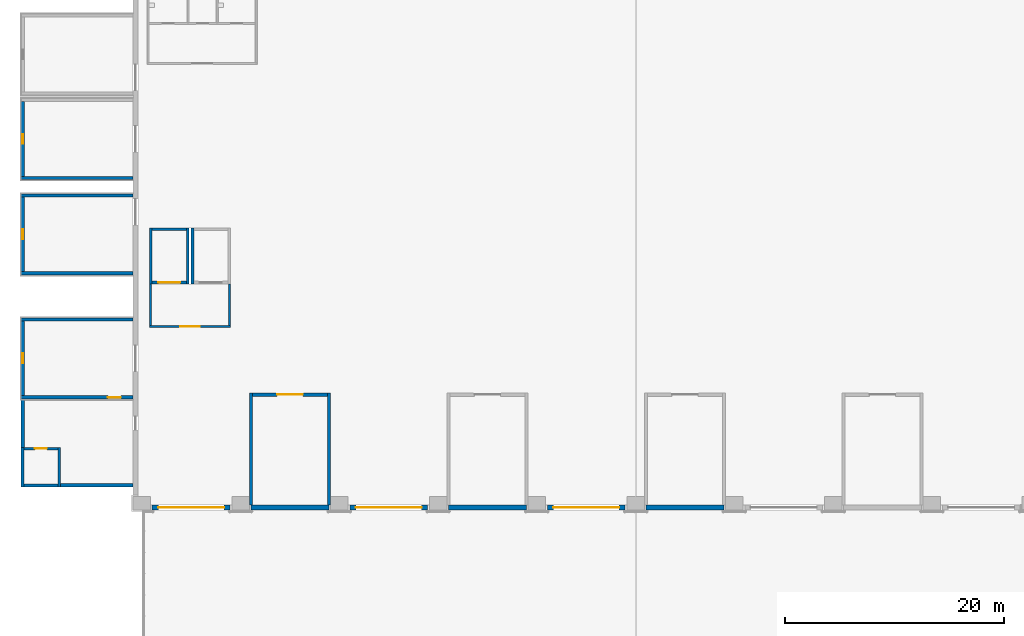
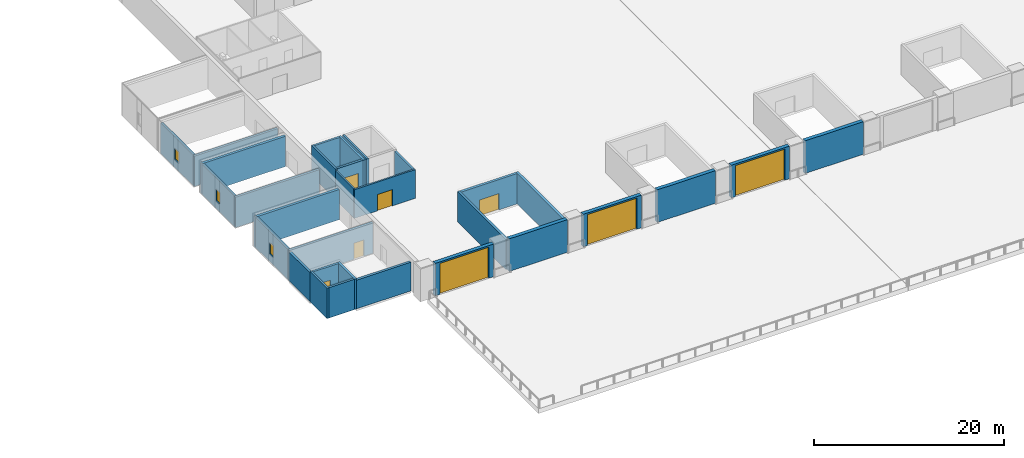
# One storey, part 14 of 39: 31 walls, 8 doors, 3 windows, 11 openings.
"""IFC4 building model written with IfcOpenShell, lengths in metres."""

from ifc_helpers import new_model, si_unit, direction, frame, frame_2d, origin, place, context, subcontext, project, spatial, rectangle, extrude, material, layer, layer_set, type_object, element, fill, save


model = new_model("IFC4")

# Units and contexts
model_context = context("Model", 3, precision=1e-05, world=origin(), true_north=direction((0.0, 1.0)))
body_context = subcontext(model_context, "Body", "Model", "MODEL_VIEW")
ifc_project = project(units=[si_unit("LENGTHUNIT", "METRE"), si_unit("AREAUNIT", "SQUARE_METRE"), si_unit("VOLUMEUNIT", "CUBIC_METRE"), si_unit("PLANEANGLEUNIT", "RADIAN"), si_unit("MASSUNIT", "GRAM", prefix="KILO")], contexts=[model_context])

# Site, building, storey
site_placement = place(None, origin())
site = spatial("IfcSite", under=ifc_project, at=site_placement, CompositionType="ELEMENT")
building_placement = place(site_placement, origin())
building = spatial("IfcBuilding", under=site, at=building_placement, Name="Aravalli Gate Trade Fair Centre", CompositionType="ELEMENT")
storey_placement = place(building_placement, frame((0.0, 0.0, 15.0)))
storey = spatial("IfcBuildingStorey", under=building, at=storey_placement, Name="L03", CompositionType="ELEMENT", Elevation=15.0)

# Walls
ifc_material_1 = material(Name="Concrete M40", Category="concrete")
ifc_layer_1 = layer(ifc_material_1, 0.300048828125)
ifc_layer_set_1 = layer_set([ifc_layer_1], Name="Concrete M40")
wall_type_1 = type_object("IfcWallType", Name="Firefighting block wall RC 300", PredefinedType="SHEAR", material=ifc_layer_set_1)
wall_1_placement = place(storey_placement, frame((-4.85009765625, 51.10009765625, 0.0), z_axis=(0.0, 0.0, 1.0), x_axis=(0.0, 1.0, 0.0)))
element("IfcWall", 1, at=wall_1_placement, inside=storey, type_object=wall_type_1, Name="Firefighting lobby west wall L03", PredefinedType="SHEAR", context=body_context, shape_type="SweptSolid", body=[
    extrude(rectangle(XDim=4.39990234375, YDim=0.300048828125, at=frame_2d((2.199951171875, 0.0))), origin(), (0.0, 0.0, 1.0), 3.699951171875),
])
wall_2_placement = place(storey_placement, frame((-1.39990234375, 47.64990234375, 0.0), z_axis=(0.0, 0.0, 1.0), x_axis=(1.0, 0.0, 0.0)))
element("IfcWall", 2, at=wall_2_placement, inside=storey, type_object=wall_type_1, Name="Firefighting lobby south wall L03", PredefinedType="SHEAR", context=body_context, shape_type="SweptSolid", body=[
    extrude(rectangle(XDim=6.599853515625, YDim=0.300048828125, at=frame_2d((3.2998046875, 0.0))), origin(), (0.0, 0.0, 1.0), 3.699951171875),
])
ifc_layer_2 = layer(ifc_material_1, 0.25)
ifc_layer_set_2 = layer_set([ifc_layer_2], Name="Concrete M40")
wall_type_2 = type_object("IfcWallType", Name="Firefighting shaft wall RC 250", PredefinedType="SHEAR", material=ifc_layer_set_2)
for number, where, z_axis, x_axis, name in (
    (3, (-4.875, 47.5, 0.0), (0.0, 0.0, 1.0), (0.0, 1.0, 0.0), "Firefighting lift shaft wall W L03"),
    (4, (-1.52490234375, 47.5, 0.0), (0.0, 0.0, 1.0), (0.0, 1.0, 0.0), "Firefighting lift shaft wall E L03"),
):
    element("IfcWall", number, at=place(storey_placement, frame(where, z_axis=z_axis, x_axis=x_axis)), inside=storey, type_object=wall_type_2, Name=name, PredefinedType="SHEAR", context=body_context, shape_type="SweptSolid", body=[
        extrude(rectangle(XDim=3.60009765625, YDim=0.25, at=frame_2d((1.800048828125, 0.0))), origin(), (0.0, 0.0, 1.0), 3.89990234375),
    ])

# Wall, opening, door
wall_3_placement = place(storey_placement, frame((-4.75, 50.97509765625, 0.0), z_axis=(0.0, 0.0, 1.0), x_axis=(1.0, 0.0, 0.0)))
wall_3 = element("IfcWall", 5, at=wall_3_placement, inside=storey, type_object=wall_type_2, Name="Firefighting lift shaft wall F L03", PredefinedType="SHEAR", context=body_context, shape_type="SweptSolid", body=[
    extrude(rectangle(XDim=3.10009765625, YDim=0.25, at=frame_2d((1.550048828125, 0.0))), origin(), (0.0, 0.0, 1.0), 3.89990234375),
])
opening_1_placement = place(wall_3_placement, frame((1.0, 0.0, 0.0)))
opening_1 = element("IfcOpeningElement", 6, at=opening_1_placement, cuts=wall_3, Name="Opening H-L03-46", PredefinedType="OPENING", context=body_context, shape_type="SweptSolid", body=[
    extrude(rectangle(XDim=1.10009765625, YDim=2.10009765625, at=frame_2d((0.550048828125, 1.050048828125))), frame((0.0, 0.135009765625, 0.0), z_axis=(0.0, -1.0, 0.0), x_axis=(1.0, 0.0, 0.0)), (0.0, 0.0, 1.0), 0.27001953125),
])
ifc_material_2 = material(Name="Steel", Category="steel")
door_type_1 = type_object("IfcDoorType", Name="Firefighting lift landing door", OperationType="SLIDING_TO_LEFT", PredefinedType="DOOR", material=ifc_material_2)
door_1_placement = place(opening_1_placement, origin())
door_1 = element("IfcDoor", 7, at=door_1_placement, inside=storey, type_object=door_type_1, Name="Firefighting lift landing door L03", OperationType="SLIDING_TO_LEFT", OverallHeight=2.10009765625, OverallWidth=1.10009765625, PredefinedType="DOOR", context=body_context, shape_type="SweptSolid", body=[
    extrude(rectangle(XDim=1.10009765625, YDim=2.10009765625, at=frame_2d((0.550048828125, 1.050048828125))), frame((0.0, 0.02490234375, 0.0), z_axis=(0.0, -1.0, 0.0), x_axis=(1.0, 0.0, 0.0)), (0.0, 0.0, 1.0), 0.050048828125),
])
fill(opening_1, door_1)

# Wall
wall_4_placement = place(storey_placement, frame((-4.75, 47.625, 0.0), z_axis=(0.0, 0.0, 1.0), x_axis=(1.0, 0.0, 0.0)))
element("IfcWall", 8, at=wall_4_placement, inside=storey, type_object=wall_type_2, Name="Firefighting lift shaft wall B L03", PredefinedType="SHEAR", context=body_context, shape_type="SweptSolid", body=[
    extrude(rectangle(XDim=3.10009765625, YDim=0.25, at=frame_2d((1.550048828125, 0.0))), origin(), (0.0, 0.0, 1.0), 3.89990234375),
])

# Wall, opening, door
ifc_layer_3 = layer(ifc_material_1, 0.199951171875)
ifc_layer_set_3 = layer_set([ifc_layer_3], Name="Concrete M40")
wall_type_3 = type_object("IfcWallType", Name="Freight lobby wall RC 200", PredefinedType="SOLIDWALL", material=ifc_layer_set_3)
wall_5_placement = place(storey_placement, frame((6.699951171875, 62.10009765625, 0.0), z_axis=(0.0, 0.0, 1.0), x_axis=(1.0, 0.0, 0.0)))
wall_5 = element("IfcWall", 9, at=wall_5_placement, inside=storey, type_object=wall_type_3, Name="Freight lift lobby wall S L03", PredefinedType="SOLIDWALL", context=body_context, shape_type="SweptSolid", body=[
    extrude(rectangle(XDim=7.400146484375, YDim=0.199951171875, at=frame_2d((3.7001953125, 0.0))), origin(), (0.0, 0.0, 1.0), 3.699951171875),
])
opening_2_placement = place(wall_5_placement, frame((2.800048828125, 0.0, 0.0)))
opening_2 = element("IfcOpeningElement", 10, at=opening_2_placement, cuts=wall_5, Name="Opening H-L03-43", PredefinedType="OPENING", context=body_context, shape_type="SweptSolid", body=[
    extrude(rectangle(XDim=1.800048828125, YDim=2.10009765625, at=frame_2d((0.89990234375, 1.050048828125))), frame((0.0, 0.10986328125, 0.0), z_axis=(0.0, -1.0, 0.0), x_axis=(1.0, 0.0, 0.0)), (0.0, 0.0, 1.0), 0.219970703125),
])
door_type_2 = type_object("IfcDoorType", Name="Hall lift lobby double door FD120", OperationType="DOUBLE_DOOR_SINGLE_SWING", PredefinedType="DOOR", material=ifc_material_2)
door_2_placement = place(opening_2_placement, origin())
door_2 = element("IfcDoor", 11, at=door_2_placement, inside=storey, type_object=door_type_2, Name="Freight lift lobby door L03", OperationType="DOUBLE_DOOR_SINGLE_SWING", OverallHeight=2.10009765625, OverallWidth=1.800048828125, PredefinedType="DOOR", context=body_context, shape_type="SweptSolid", body=[
    extrude(rectangle(XDim=1.800048828125, YDim=2.10009765625, at=frame_2d((0.89990234375, 1.050048828125))), frame((0.0, 0.02490234375, 0.0), z_axis=(0.0, -1.0, 0.0), x_axis=(1.0, 0.0, 0.0)), (0.0, 0.0, 1.0), 0.050048828125),
])
fill(opening_2, door_2)

# Walls
for number, where, z_axis, x_axis, name in (
    (12, (6.800048828125, 62.199951171875, 0.0), (0.0, 0.0, 1.0), (0.0, 1.0, 0.0), "Freight lift lobby wall W L03"),
    (13, (14.0, 62.199951171875, 0.0), (0.0, 0.0, 1.0), (0.0, 1.0, 0.0), "Freight lift lobby wall E L03"),
):
    element("IfcWall", number, at=place(storey_placement, frame(where, z_axis=z_axis, x_axis=x_axis)), inside=storey, type_object=wall_type_3, Name=name, PredefinedType="SOLIDWALL", context=body_context, shape_type="SweptSolid", body=[
        extrude(rectangle(XDim=3.800048828125, YDim=0.199951171875, at=frame_2d((1.89990234375, 0.0))), origin(), (0.0, 0.0, 1.0), 3.699951171875),
    ])
ifc_layer_4 = layer(ifc_material_1, 0.25)
ifc_layer_set_4 = layer_set([ifc_layer_4], Name="Concrete M40")
wall_type_4 = type_object("IfcWallType", Name="Freight shaft wall RC 250", PredefinedType="SHEAR", material=ifc_layer_set_4)
for number, where, z_axis, x_axis, name in (
    (14, (6.824951171875, 66.0, 0.0), (0.0, 0.0, 1.0), (0.0, 1.0, 0.0), "Freight lift 1 shaft wall W L03"),
    (15, (10.175048828125, 66.0, 0.0), (0.0, 0.0, 1.0), (0.0, 1.0, 0.0), "Freight lift 1 shaft wall E L03"),
):
    element("IfcWall", number, at=place(storey_placement, frame(where, z_axis=z_axis, x_axis=x_axis)), inside=storey, type_object=wall_type_4, Name=name, PredefinedType="SHEAR", context=body_context, shape_type="SweptSolid", body=[
        extrude(rectangle(XDim=5.10009765625, YDim=0.25, at=frame_2d((2.550048828125, 0.0))), origin(), (0.0, 0.0, 1.0), 3.89990234375),
    ])

# Wall, opening, door
wall_6_placement = place(storey_placement, frame((6.949951171875, 66.125, 0.0), z_axis=(0.0, 0.0, 1.0), x_axis=(1.0, 0.0, 0.0)))
wall_6 = element("IfcWall", 16, at=wall_6_placement, inside=storey, type_object=wall_type_4, Name="Freight lift 1 shaft wall F L03", PredefinedType="SHEAR", context=body_context, shape_type="SweptSolid", body=[
    extrude(rectangle(XDim=3.10009765625, YDim=0.25, at=frame_2d((1.550048828125, 0.0))), origin(), (0.0, 0.0, 1.0), 3.89990234375),
])
opening_3_placement = place(wall_6_placement, frame((0.550048828125, 0.0, 0.0)))
opening_3 = element("IfcOpeningElement", 17, at=opening_3_placement, cuts=wall_6, Name="Opening H-L03-41", PredefinedType="OPENING", context=body_context, shape_type="SweptSolid", body=[
    extrude(rectangle(XDim=2.0, YDim=2.39990234375, at=frame_2d((1.0, 1.199951171875))), frame((0.0, 0.135009765625, 0.0), z_axis=(0.0, -1.0, 0.0), x_axis=(1.0, 0.0, 0.0)), (0.0, 0.0, 1.0), 0.27001953125),
])
door_type_3 = type_object("IfcDoorType", Name="Freight lift landing door", OperationType="SLIDING_TO_LEFT", PredefinedType="DOOR", material=ifc_material_2)
door_3_placement = place(opening_3_placement, origin())
door_3 = element("IfcDoor", 18, at=door_3_placement, inside=storey, type_object=door_type_3, Name="Freight lift 1 landing door L03", OperationType="SLIDING_TO_LEFT", OverallHeight=2.39990234375, OverallWidth=2.0, PredefinedType="DOOR", context=body_context, shape_type="SweptSolid", body=[
    extrude(rectangle(XDim=2.0, YDim=2.39990234375, at=frame_2d((1.0, 1.199951171875))), frame((0.0, 0.02490234375, 0.0), z_axis=(0.0, -1.0, 0.0), x_axis=(1.0, 0.0, 0.0)), (0.0, 0.0, 1.0), 0.050048828125),
])
fill(opening_3, door_3)

# Walls
wall_7_placement = place(storey_placement, frame((6.949951171875, 70.97509765625, 0.0), z_axis=(0.0, 0.0, 1.0), x_axis=(1.0, 0.0, 0.0)))
element("IfcWall", 19, at=wall_7_placement, inside=storey, type_object=wall_type_4, Name="Freight lift 1 shaft wall B L03", PredefinedType="SHEAR", context=body_context, shape_type="SweptSolid", body=[
    extrude(rectangle(XDim=3.10009765625, YDim=0.25, at=frame_2d((1.550048828125, 0.0))), origin(), (0.0, 0.0, 1.0), 3.89990234375),
])
wall_8_placement = place(storey_placement, frame((10.625, 66.0, 0.0), z_axis=(0.0, 0.0, 1.0), x_axis=(0.0, 1.0, 0.0)))
element("IfcWall", 20, at=wall_8_placement, inside=storey, type_object=wall_type_4, Name="Freight lift 2 shaft wall W L03", PredefinedType="SHEAR", context=body_context, shape_type="SweptSolid", body=[
    extrude(rectangle(XDim=5.10009765625, YDim=0.25, at=frame_2d((2.550048828125, 0.0))), origin(), (0.0, 0.0, 1.0), 3.89990234375),
])

# Wall, opening, door
ifc_layer_5 = layer(ifc_material_1, 0.25, Name="Structural wall")
ifc_material_3 = material(Name="Ventilated air cavity")
ifc_layer_6 = layer(ifc_material_3, 0.10009765625, ventilated=True, Name="Ventilated cavity")
ifc_material_4 = material(Name="Terracotta rainscreen", Category="masonry")
ifc_layer_7 = layer(ifc_material_4, 0.10009765625, Name="Rainscreen cladding")
ifc_layer_set_5 = layer_set([ifc_layer_5, ifc_layer_6, ifc_layer_7], Name="Hall external wall 450")
wall_type_5 = type_object("IfcWallType", Name="Hall external wall 450", PredefinedType="SOLIDWALL", material=ifc_layer_set_5)
wall_9_placement = place(storey_placement, frame((6.949951171875, 45.625, 0.0), z_axis=(0.0, 0.0, 1.0), x_axis=(1.0, 0.0, 0.0)))
wall_9 = element("IfcWall", 21, at=wall_9_placement, inside=storey, type_object=wall_type_5, Name="Hall south wall bay 1 L03", PredefinedType="SOLIDWALL", context=body_context, shape_type="SweptSolid", body=[
    extrude(rectangle(XDim=7.10009765625, YDim=0.449951171875, at=frame_2d((3.550048828125, 0.0))), origin(), (0.0, 0.0, 1.0), 4.199951171875),
])
opening_4_placement = place(wall_9_placement, frame((0.550048828125, 0.0, 0.0)))
opening_4 = element("IfcOpeningElement", 22, at=opening_4_placement, cuts=wall_9, Name="Opening H-L03-01", PredefinedType="OPENING", context=body_context, shape_type="SweptSolid", body=[
    extrude(rectangle(XDim=6.0, YDim=4.0, at=frame_2d((3.0, 2.0))), frame((0.0, 0.23486328125, 0.0), z_axis=(0.0, -1.0, 0.0), x_axis=(1.0, 0.0, 0.0)), (0.0, 0.0, 1.0), 0.469970703125),
])
door_type_4 = type_object("IfcDoorType", Name="Drive-in rolling shutter 6000x4000", OperationType="ROLLINGUP", PredefinedType="DOOR", material=ifc_material_2)
door_4_placement = place(opening_4_placement, frame((6.0, 0.0, 0.0), z_axis=(0.0, 0.0, 1.0), x_axis=(-1.0, 0.0, 0.0)))
door_4 = element("IfcDoor", 23, at=door_4_placement, inside=storey, type_object=door_type_4, Name="Drive-in shutter bay 1", OperationType="ROLLINGUP", OverallHeight=4.0, OverallWidth=6.0, PredefinedType="DOOR", context=body_context, shape_type="SweptSolid", body=[
    extrude(rectangle(XDim=6.0, YDim=4.0, at=frame_2d((3.0, 2.0))), frame((0.0, 0.02490234375, 0.0), z_axis=(0.0, -1.0, 0.0), x_axis=(1.0, 0.0, 0.0)), (0.0, 0.0, 1.0), 0.050048828125),
])
fill(opening_4, door_4)

# Wall
wall_10_placement = place(storey_placement, frame((15.949951171875, 45.625, 0.0), z_axis=(0.0, 0.0, 1.0), x_axis=(1.0, 0.0, 0.0)))
element("IfcWall", 24, at=wall_10_placement, inside=storey, type_object=wall_type_5, Name="Hall south wall bay 2 L03", PredefinedType="SOLIDWALL", context=body_context, shape_type="SweptSolid", body=[
    extrude(rectangle(XDim=7.10009765625, YDim=0.449951171875, at=frame_2d((3.550048828125, 0.0))), origin(), (0.0, 0.0, 1.0), 4.199951171875),
])

# Wall, opening, door
wall_11_placement = place(storey_placement, frame((24.949951171875, 45.625, 0.0), z_axis=(0.0, 0.0, 1.0), x_axis=(1.0, 0.0, 0.0)))
wall_11 = element("IfcWall", 25, at=wall_11_placement, inside=storey, type_object=wall_type_5, Name="Hall south wall bay 3 L03", PredefinedType="SOLIDWALL", context=body_context, shape_type="SweptSolid", body=[
    extrude(rectangle(XDim=7.10009765625, YDim=0.449951171875, at=frame_2d((3.550048828125, 0.0))), origin(), (0.0, 0.0, 1.0), 4.199951171875),
])
opening_5_placement = place(wall_11_placement, frame((0.550048828125, 0.0, 0.0)))
opening_5 = element("IfcOpeningElement", 26, at=opening_5_placement, cuts=wall_11, Name="Opening H-L03-04", PredefinedType="OPENING", context=body_context, shape_type="SweptSolid", body=[
    extrude(rectangle(XDim=6.0, YDim=4.0, at=frame_2d((3.0, 2.0))), frame((0.0, 0.23486328125, 0.0), z_axis=(0.0, -1.0, 0.0), x_axis=(1.0, 0.0, 0.0)), (0.0, 0.0, 1.0), 0.469970703125),
])
door_5_placement = place(opening_5_placement, frame((6.0, 0.0, 0.0), z_axis=(0.0, 0.0, 1.0), x_axis=(-1.0, 0.0, 0.0)))
door_5 = element("IfcDoor", 27, at=door_5_placement, inside=storey, type_object=door_type_4, Name="Drive-in shutter bay 3", OperationType="ROLLINGUP", OverallHeight=4.0, OverallWidth=6.0, PredefinedType="DOOR", context=body_context, shape_type="SweptSolid", body=[
    extrude(rectangle(XDim=6.0, YDim=4.0, at=frame_2d((3.0, 2.0))), frame((0.0, 0.02490234375, 0.0), z_axis=(0.0, -1.0, 0.0), x_axis=(1.0, 0.0, 0.0)), (0.0, 0.0, 1.0), 0.050048828125),
])
fill(opening_5, door_5)

# Wall
wall_12_placement = place(storey_placement, frame((33.949951171875, 45.625, 0.0), z_axis=(0.0, 0.0, 1.0), x_axis=(1.0, 0.0, 0.0)))
element("IfcWall", 28, at=wall_12_placement, inside=storey, type_object=wall_type_5, Name="Hall south wall bay 4 L03", PredefinedType="SOLIDWALL", context=body_context, shape_type="SweptSolid", body=[
    extrude(rectangle(XDim=7.10009765625, YDim=0.449951171875, at=frame_2d((3.550048828125, 0.0))), origin(), (0.0, 0.0, 1.0), 4.199951171875),
])

# Wall, opening, door
wall_13_placement = place(storey_placement, frame((42.949951171875, 45.625, 0.0), z_axis=(0.0, 0.0, 1.0), x_axis=(1.0, 0.0, 0.0)))
wall_13 = element("IfcWall", 29, at=wall_13_placement, inside=storey, type_object=wall_type_5, Name="Hall south wall bay 5 L03", PredefinedType="SOLIDWALL", context=body_context, shape_type="SweptSolid", body=[
    extrude(rectangle(XDim=7.10009765625, YDim=0.449951171875, at=frame_2d((3.550048828125, 0.0))), origin(), (0.0, 0.0, 1.0), 4.199951171875),
])
opening_6_placement = place(wall_13_placement, frame((0.550048828125, 0.0, 0.0)))
opening_6 = element("IfcOpeningElement", 30, at=opening_6_placement, cuts=wall_13, Name="Opening H-L03-07", PredefinedType="OPENING", context=body_context, shape_type="SweptSolid", body=[
    extrude(rectangle(XDim=6.0, YDim=4.0, at=frame_2d((3.0, 2.0))), frame((0.0, 0.23486328125, 0.0), z_axis=(0.0, -1.0, 0.0), x_axis=(1.0, 0.0, 0.0)), (0.0, 0.0, 1.0), 0.469970703125),
])
door_6_placement = place(opening_6_placement, frame((6.0, 0.0, 0.0), z_axis=(0.0, 0.0, 1.0), x_axis=(-1.0, 0.0, 0.0)))
door_6 = element("IfcDoor", 31, at=door_6_placement, inside=storey, type_object=door_type_4, Name="Drive-in shutter bay 5", OperationType="ROLLINGUP", OverallHeight=4.0, OverallWidth=6.0, PredefinedType="DOOR", context=body_context, shape_type="SweptSolid", body=[
    extrude(rectangle(XDim=6.0, YDim=4.0, at=frame_2d((3.0, 2.0))), frame((0.0, 0.02490234375, 0.0), z_axis=(0.0, -1.0, 0.0), x_axis=(1.0, 0.0, 0.0)), (0.0, 0.0, 1.0), 0.050048828125),
])
fill(opening_6, door_6)

# Walls
wall_14_placement = place(storey_placement, frame((51.949951171875, 45.625, 0.0), z_axis=(0.0, 0.0, 1.0), x_axis=(1.0, 0.0, 0.0)))
element("IfcWall", 32, at=wall_14_placement, inside=storey, type_object=wall_type_5, Name="Hall south wall bay 6 L03", PredefinedType="SOLIDWALL", context=body_context, shape_type="SweptSolid", body=[
    extrude(rectangle(XDim=7.10009765625, YDim=0.449951171875, at=frame_2d((3.550048828125, 0.0))), origin(), (0.0, 0.0, 1.0), 4.199951171875),
])
ifc_layer_8 = layer(ifc_material_1, 0.300048828125)
ifc_layer_set_6 = layer_set([ifc_layer_8], Name="Concrete M40")
wall_type_6 = type_object("IfcWallType", Name="Stair tower wall RC 300", PredefinedType="SHEAR", material=ifc_layer_set_6)
for number, where, z_axis, x_axis, name in (
    (33, (15.949951171875, 45.85009765625, 0.0), (0.0, 0.0, 1.0), (0.0, 1.0, 0.0), "Stair tower S02 wall W L03"),
    (34, (23.050048828125, 45.85009765625, 0.0), (0.0, 0.0, 1.0), (0.0, 1.0, 0.0), "Stair tower S02 wall E L03"),
):
    element("IfcWall", number, at=place(storey_placement, frame(where, z_axis=z_axis, x_axis=x_axis)), inside=storey, type_object=wall_type_6, Name=name, PredefinedType="SHEAR", context=body_context, shape_type="SweptSolid", body=[
        extrude(rectangle(XDim=10.199951171875, YDim=0.300048828125, at=frame_2d((5.10009765625, 0.0))), origin(), (0.0, 0.0, 1.0), 3.89990234375),
    ])

# Wall, opening, door
wall_15_placement = place(storey_placement, frame((16.10009765625, 55.89990234375, 0.0), z_axis=(0.0, 0.0, 1.0), x_axis=(1.0, 0.0, 0.0)))
wall_15 = element("IfcWall", 35, at=wall_15_placement, inside=storey, type_object=wall_type_6, Name="Stair tower S02 wall F L03", PredefinedType="SHEAR", context=body_context, shape_type="SweptSolid", body=[
    extrude(rectangle(XDim=6.7998046875, YDim=0.300048828125, at=frame_2d((3.39990234375, 0.0))), origin(), (0.0, 0.0, 1.0), 3.89990234375),
])
opening_7_placement = place(wall_15_placement, frame((2.22509765625, 0.0, 0.0)))
opening_7 = element("IfcOpeningElement", 36, at=opening_7_placement, cuts=wall_15, Name="Opening H-L03-23", PredefinedType="OPENING", context=body_context, shape_type="SweptSolid", body=[
    extrude(rectangle(XDim=2.35009765625, YDim=2.10009765625, at=frame_2d((1.175048828125, 1.050048828125))), frame((0.0, 0.159912109375, 0.0), z_axis=(0.0, -1.0, 0.0), x_axis=(1.0, 0.0, 0.0)), (0.0, 0.0, 1.0), 0.320068359375),
])
door_type_5 = type_object("IfcDoorType", Name="Stair lobby double door FD120", OperationType="DOUBLE_DOOR_SINGLE_SWING", PredefinedType="DOOR", material=ifc_material_2)
door_7_placement = place(opening_7_placement, frame((2.35009765625, 0.0, 0.0), z_axis=(0.0, 0.0, 1.0), x_axis=(-1.0, 0.0, 0.0)))
door_7 = element("IfcDoor", 37, at=door_7_placement, inside=storey, type_object=door_type_5, Name="Exit door ST-S02 L03", OperationType="DOUBLE_DOOR_SINGLE_SWING", OverallHeight=2.10009765625, OverallWidth=2.35009765625, PredefinedType="DOOR", context=body_context, shape_type="SweptSolid", body=[
    extrude(rectangle(XDim=2.35009765625, YDim=2.10009765625, at=frame_2d((1.175048828125, 1.050048828125))), frame((0.0, 0.02490234375, 0.0), z_axis=(0.0, -1.0, 0.0), x_axis=(1.0, 0.0, 0.0)), (0.0, 0.0, 1.0), 0.050048828125),
])
fill(opening_7, door_7)

wall_16_placement = place(storey_placement, frame((5.199951171875, 55.64990234375, 0.0), z_axis=(0.0, 0.0, 1.0), x_axis=(-1.0, 0.0, 0.0)))
wall_16 = element("IfcWall", 38, at=wall_16_placement, inside=storey, type_object=wall_type_6, Name="Stair tower W1 wall W L03", PredefinedType="SHEAR", context=body_context, shape_type="SweptSolid", body=[
    extrude(rectangle(XDim=10.199951171875, YDim=0.300048828125, at=frame_2d((5.10009765625, 0.0))), origin(), (0.0, 0.0, 1.0), 3.89990234375),
])
opening_8_placement = place(wall_16_placement, frame((1.10009765625, 0.0, 0.0)))
opening_8 = element("IfcOpeningElement", 39, at=opening_8_placement, cuts=wall_16, Name="Opening H-L03-45", PredefinedType="OPENING", context=body_context, shape_type="SweptSolid", body=[
    extrude(rectangle(XDim=1.199951171875, YDim=2.10009765625, at=frame_2d((0.60009765625, 1.050048828125))), frame((0.0, 0.159912109375, 0.0), z_axis=(0.0, -1.0, 0.0), x_axis=(1.0, 0.0, 0.0)), (0.0, 0.0, 1.0), 0.320068359375),
])
door_type_6 = type_object("IfcDoorType", Name="Firefighting lobby door FD120", OperationType="SINGLE_SWING_LEFT", PredefinedType="DOOR", material=ifc_material_2)
door_8_placement = place(opening_8_placement, frame((1.199951171875, 0.0, 0.0), z_axis=(0.0, 0.0, 1.0), x_axis=(-1.0, 0.0, 0.0)))
door_8 = element("IfcDoor", 40, at=door_8_placement, inside=storey, type_object=door_type_6, Name="Firefighting lobby door L03 stair", OperationType="SINGLE_SWING_RIGHT", OverallHeight=2.10009765625, OverallWidth=1.199951171875, PredefinedType="DOOR", context=body_context, shape_type="SweptSolid", body=[
    extrude(rectangle(XDim=1.199951171875, YDim=2.10009765625, at=frame_2d((0.60009765625, 1.050048828125))), frame((0.0, 0.02490234375, 0.0), z_axis=(0.0, -1.0, 0.0), x_axis=(1.0, 0.0, 0.0)), (0.0, 0.0, 1.0), 0.050048828125),
])
fill(opening_8, door_8)

# Wall
wall_17_placement = place(storey_placement, frame((5.199951171875, 62.75, 0.0), z_axis=(0.0, 0.0, 1.0), x_axis=(-1.0, 0.0, 0.0)))
element("IfcWall", 41, at=wall_17_placement, inside=storey, type_object=wall_type_6, Name="Stair tower W1 wall E L03", PredefinedType="SHEAR", context=body_context, shape_type="SweptSolid", body=[
    extrude(rectangle(XDim=10.199951171875, YDim=0.300048828125, at=frame_2d((5.10009765625, 0.0))), origin(), (0.0, 0.0, 1.0), 3.89990234375),
])

# Wall, opening, window
wall_18_placement = place(storey_placement, frame((-4.85009765625, 55.800048828125, 0.0), z_axis=(0.0, 0.0, 1.0), x_axis=(0.0, 1.0, 0.0)))
wall_18 = element("IfcWall", 42, at=wall_18_placement, inside=storey, type_object=wall_type_6, Name="Stair tower W1 wall F L03", PredefinedType="SHEAR", context=body_context, shape_type="SweptSolid", body=[
    extrude(rectangle(XDim=6.800048828125, YDim=0.300048828125, at=frame_2d((3.39990234375, 0.0))), origin(), (0.0, 0.0, 1.0), 3.89990234375),
])
opening_9_placement = place(wall_18_placement, frame((2.949951171875, 0.0, 1.0)))
opening_9 = element("IfcOpeningElement", 43, at=opening_9_placement, cuts=wall_18, Name="Opening LW1", PredefinedType="OPENING", context=body_context, shape_type="SweptSolid", body=[
    extrude(rectangle(XDim=0.89990234375, YDim=1.5, at=frame_2d((0.449951171875, 0.75))), frame((0.0, 0.159912109375, 0.0), z_axis=(0.0, -1.0, 0.0), x_axis=(1.0, 0.0, 0.0)), (0.0, 0.0, 1.0), 0.320068359375),
])
ifc_material_5 = material(Name="Fire-resistant glazing", Category="glass")
window_type = type_object("IfcWindowType", Name="Stair landing window FRG 900x1500", PartitioningType="SINGLE_PANEL", PredefinedType="WINDOW", material=ifc_material_5)
window_1_placement = place(opening_9_placement, origin())
window_1 = element("IfcWindow", 44, at=window_1_placement, inside=storey, type_object=window_type, Name="Stair landing window W1 L03", OverallHeight=1.5, OverallWidth=0.89990234375, PartitioningType="SINGLE_PANEL", PredefinedType="WINDOW", context=body_context, shape_type="SweptSolid", body=[
    extrude(rectangle(XDim=0.89990234375, YDim=1.5, at=frame_2d((0.449951171875, 0.75))), frame((0.0, 0.030029296875, 0.0), z_axis=(0.0, -1.0, 0.0), x_axis=(1.0, 0.0, 0.0)), (0.0, 0.0, 1.0), 0.06005859375),
])
fill(opening_9, window_1)

# Wall
wall_19_placement = place(storey_placement, frame((5.199951171875, 75.64990234375, 0.0), z_axis=(0.0, 0.0, 1.0), x_axis=(-1.0, 0.0, 0.0)))
element("IfcWall", 45, at=wall_19_placement, inside=storey, type_object=wall_type_6, Name="Stair tower W2 wall W L03", PredefinedType="SHEAR", context=body_context, shape_type="SweptSolid", body=[
    extrude(rectangle(XDim=10.199951171875, YDim=0.300048828125, at=frame_2d((5.10009765625, 0.0))), origin(), (0.0, 0.0, 1.0), 3.89990234375),
])

# Wall, opening, window
wall_20_placement = place(storey_placement, frame((-4.85009765625, 75.800048828125, 0.0), z_axis=(0.0, 0.0, 1.0), x_axis=(0.0, 1.0, 0.0)))
wall_20 = element("IfcWall", 46, at=wall_20_placement, inside=storey, type_object=wall_type_6, Name="Stair tower W2 wall F L03", PredefinedType="SHEAR", context=body_context, shape_type="SweptSolid", body=[
    extrude(rectangle(XDim=6.800048828125, YDim=0.300048828125, at=frame_2d((3.39990234375, 0.0))), origin(), (0.0, 0.0, 1.0), 3.89990234375),
])
opening_10_placement = place(wall_20_placement, frame((2.949951171875, 0.0, 1.0)))
opening_10 = element("IfcOpeningElement", 47, at=opening_10_placement, cuts=wall_20, Name="Opening LW1", PredefinedType="OPENING", context=body_context, shape_type="SweptSolid", body=[
    extrude(rectangle(XDim=0.89990234375, YDim=1.5, at=frame_2d((0.449951171875, 0.75))), frame((0.0, 0.159912109375, 0.0), z_axis=(0.0, -1.0, 0.0), x_axis=(1.0, 0.0, 0.0)), (0.0, 0.0, 1.0), 0.320068359375),
])
window_2_placement = place(opening_10_placement, origin())
window_2 = element("IfcWindow", 48, at=window_2_placement, inside=storey, type_object=window_type, Name="Stair landing window W2 L03", OverallHeight=1.5, OverallWidth=0.89990234375, PartitioningType="SINGLE_PANEL", PredefinedType="WINDOW", context=body_context, shape_type="SweptSolid", body=[
    extrude(rectangle(XDim=0.89990234375, YDim=1.5, at=frame_2d((0.449951171875, 0.75))), frame((0.0, 0.030029296875, 0.0), z_axis=(0.0, -1.0, 0.0), x_axis=(1.0, 0.0, 0.0)), (0.0, 0.0, 1.0), 0.06005859375),
])
fill(opening_10, window_2)

# Walls
for number, where, z_axis, x_axis, name in (
    (49, (5.199951171875, 66.949951171875, 0.0), (0.0, 0.0, 1.0), (-1.0, 0.0, 0.0), "Stair tower W4 wall W L03"),
    (50, (5.199951171875, 74.050048828125, 0.0), (0.0, 0.0, 1.0), (-1.0, 0.0, 0.0), "Stair tower W4 wall E L03"),
):
    element("IfcWall", number, at=place(storey_placement, frame(where, z_axis=z_axis, x_axis=x_axis)), inside=storey, type_object=wall_type_6, Name=name, PredefinedType="SHEAR", context=body_context, shape_type="SweptSolid", body=[
        extrude(rectangle(XDim=10.199951171875, YDim=0.300048828125, at=frame_2d((5.10009765625, 0.0))), origin(), (0.0, 0.0, 1.0), 3.89990234375),
    ])

# Wall, opening, window
wall_21_placement = place(storey_placement, frame((-4.85009765625, 67.10009765625, 0.0), z_axis=(0.0, 0.0, 1.0), x_axis=(0.0, 1.0, 0.0)))
wall_21 = element("IfcWall", 51, at=wall_21_placement, inside=storey, type_object=wall_type_6, Name="Stair tower W4 wall F L03", PredefinedType="SHEAR", context=body_context, shape_type="SweptSolid", body=[
    extrude(rectangle(XDim=6.7998046875, YDim=0.300048828125, at=frame_2d((3.39990234375, 0.0))), origin(), (0.0, 0.0, 1.0), 3.89990234375),
])
opening_11_placement = place(wall_21_placement, frame((2.949951171875, 0.0, 1.0)))
opening_11 = element("IfcOpeningElement", 52, at=opening_11_placement, cuts=wall_21, Name="Opening LW1", PredefinedType="OPENING", context=body_context, shape_type="SweptSolid", body=[
    extrude(rectangle(XDim=0.89990234375, YDim=1.5, at=frame_2d((0.449951171875, 0.75))), frame((0.0, 0.159912109375, 0.0), z_axis=(0.0, -1.0, 0.0), x_axis=(1.0, 0.0, 0.0)), (0.0, 0.0, 1.0), 0.320068359375),
])
window_3_placement = place(opening_11_placement, origin())
window_3 = element("IfcWindow", 53, at=window_3_placement, inside=storey, type_object=window_type, Name="Stair landing window W4 L03", OverallHeight=1.5, OverallWidth=0.89990234375, PartitioningType="SINGLE_PANEL", PredefinedType="WINDOW", context=body_context, shape_type="SweptSolid", body=[
    extrude(rectangle(XDim=0.89990234375, YDim=1.5, at=frame_2d((0.449951171875, 0.75))), frame((0.0, 0.030029296875, 0.0), z_axis=(0.0, -1.0, 0.0), x_axis=(1.0, 0.0, 0.0)), (0.0, 0.0, 1.0), 0.06005859375),
])
fill(opening_11, window_3)

save(model, "model.ifc")
